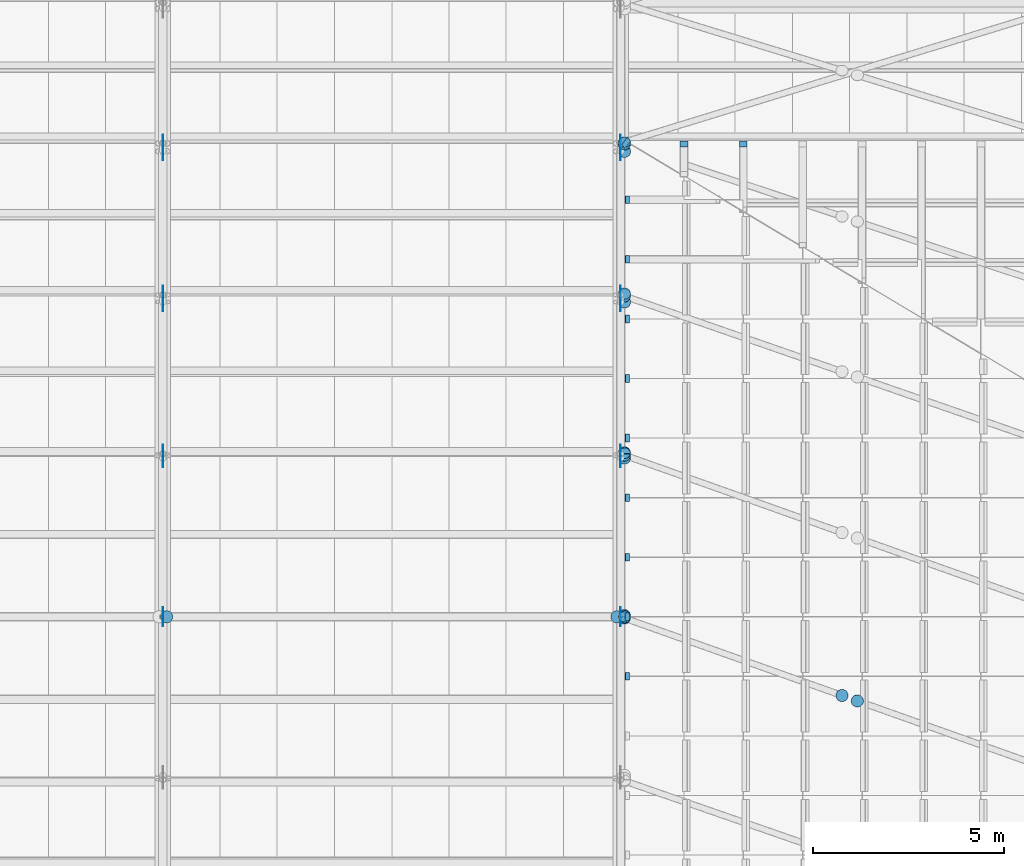
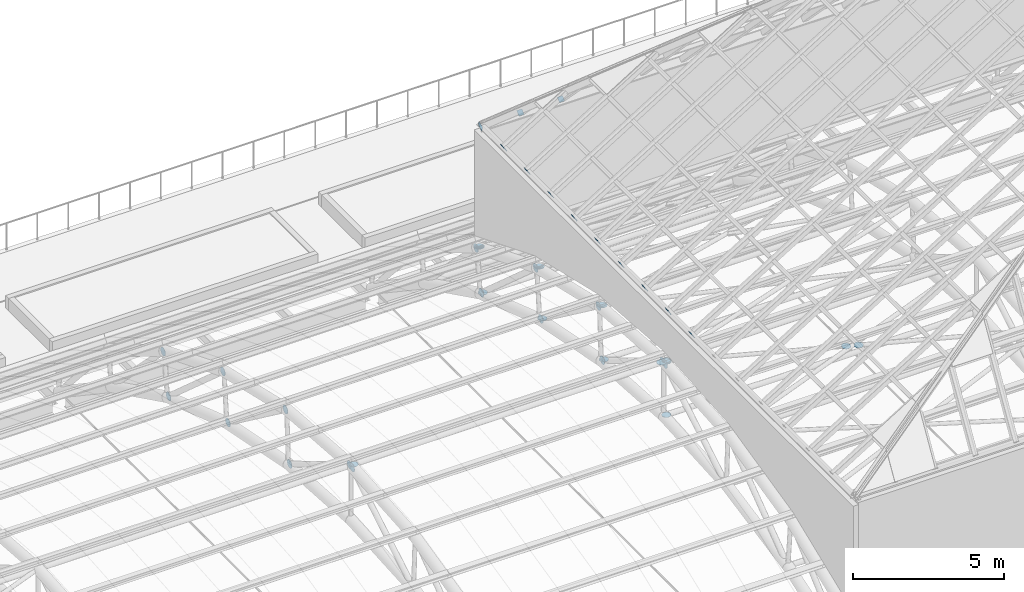
# One storey, part 92 of 110: 48 discrete accessories.
"""IFC4 building model written with IfcOpenShell, lengths in metres."""

from ifc_helpers import new_model, si_unit, direction, frame, origin, origin_2d, place, context, subcontext, project, spatial, rectangle, circle, extrude, material, layer, layer_set, type_object, element, save


model = new_model("IFC4")

# Units and contexts
model_context = context("Model", 3, precision=1e-05, world=origin(), true_north=direction((0.0, 1.0)))
body_context = subcontext(model_context, "Body", "Model", "MODEL_VIEW")
ifc_project = project(units=[si_unit("LENGTHUNIT", "METRE"), si_unit("AREAUNIT", "SQUARE_METRE"), si_unit("VOLUMEUNIT", "CUBIC_METRE"), si_unit("PLANEANGLEUNIT", "RADIAN"), si_unit("MASSUNIT", "GRAM", prefix="KILO")], contexts=[model_context])

# Site, building, storey
site_placement = place(None, origin())
site = spatial("IfcSite", under=ifc_project, at=site_placement, CompositionType="ELEMENT")
building_placement = place(site_placement, origin())
building = spatial("IfcBuilding", under=site, at=building_placement, Name="Windward Yard Aquatics Centre", CompositionType="ELEMENT")
storey_placement = place(building_placement, frame((0.0, 0.0, 22.60009765625)))
storey = spatial("IfcBuildingStorey", under=building, at=storey_placement, Name="L05", CompositionType="ELEMENT", Elevation=22.60009765625)

# Discrete accessories
ifc_material = material(Name="Steel S355", Category="steel")
ifc_layer_1 = layer(ifc_material, 0.010009765625)
ifc_layer_set_1 = layer_set([ifc_layer_1], Name="End cap plate 10 mm RHS203.2x203.2x9.5")
discrete_accessory_type_1 = type_object("IfcDiscreteAccessoryType", Name="End cap plate 10 mm RHS203.2x203.2x9.5", PredefinedType="USERDEFINED", material=ifc_layer_set_1)
for number, where, z_axis, x_axis, name in (
    (1, (96.163818359375, 67.24462890625, 10.77197265625), (0.857492925713, 0.0, 0.514495755428), (0.0, 1.0, 0.0), "End cap"),
    (2, (96.163818359375, 62.561279296875, 10.77197265625), (0.857492925713, 0.0, 0.514495755428), (0.0, 1.0, 0.0), "End cap"),
    (3, (96.163818359375, 64.122314453125, 10.77197265625), (0.857492925713, 0.0, 0.514495755428), (0.0, 1.0, 0.0), "End cap"),
    (4, (96.163818359375, 59.438720703125, 10.77197265625), (0.857492925713, 0.0, 0.514495755428), (0.0, 1.0, 0.0), "End cap"),
    (5, (97.656494140625, 73.3974609375, 10.791259765625), (0.0, -0.68231825036, 0.731055268243), (1.0, 0.0, 0.0), "End cap"),
    (6, (96.163818359375, 65.68359375, 10.77197265625), (0.857492925713, 0.0, 0.514495755428), (0.0, 1.0, 0.0), "End cap"),
    (7, (96.163818359375, 71.92822265625, 10.77197265625), (0.857492925713, 0.0, 0.514495755428), (0.0, 1.0, 0.0), "End cap"),
    (8, (96.163818359375, 61.0, 10.77197265625), (0.857492925713, 0.0, 0.514495755428), (0.0, 1.0, 0.0), "End cap"),
    (9, (96.163818359375, 68.805908203125, 10.77197265625), (0.857492925713, 0.0, 0.514495755428), (0.0, 1.0, 0.0), "End cap"),
    (10, (99.212890625, 73.3974609375, 10.791259765625), (0.0, -0.68231825036, 0.731055268243), (1.0, 0.0, 0.0), "End cap"),
    (11, (96.163818359375, 70.3671875, 10.77197265625), (0.857492925713, 0.0, 0.514495755428), (0.0, 1.0, 0.0), "End cap"),
):
    element("IfcDiscreteAccessory", number, at=place(storey_placement, frame(where, z_axis=z_axis, x_axis=x_axis)), inside=storey, type_object=discrete_accessory_type_1, Name=name, ObjectType="END CAP", PredefinedType="USERDEFINED", context=body_context, shape_type="SweptSolid", body=[
        extrude(rectangle(XDim=0.203125, YDim=0.203125, at=origin_2d()), origin(), (0.0, 0.0, 1.0), 0.010009765625),
    ])
ifc_layer_2 = layer(ifc_material, 0.010009765625)
ifc_layer_set_2 = layer_set([ifc_layer_2], Name="End cap plate 10 mm RHS254x254x15.9")
discrete_accessory_type_2 = type_object("IfcDiscreteAccessoryType", Name="End cap plate 10 mm RHS254x254x15.9", PredefinedType="USERDEFINED", material=ifc_layer_set_2)
discrete_accessory_1_placement = place(storey_placement, frame((96.139404296875, 73.429931640625, 10.751708984375), z_axis=(0.755648171598, -0.463139201947, 0.463139201947), x_axis=(0.589358238601, 0.789284140614, -0.172300353945)))
element("IfcDiscreteAccessory", 12, at=discrete_accessory_1_placement, inside=storey, type_object=discrete_accessory_type_2, Name="End cap", ObjectType="END CAP", PredefinedType="USERDEFINED", context=body_context, shape_type="SweptSolid", body=[
    extrude(rectangle(XDim=0.25390625, YDim=0.25390625, at=origin_2d()), origin(), (0.0, 0.0, 1.0), 0.010009765625),
])
ifc_layer_3 = layer(ifc_material, 0.011962890625)
ifc_layer_set_3 = layer_set([ifc_layer_3], Name="Gusset plate 320 mm disc 12 mm")
discrete_accessory_type_3 = type_object("IfcDiscreteAccessoryType", Name="Gusset plate 320 mm disc 12 mm", PredefinedType="USERDEFINED", material=ifc_layer_set_3)
for number, where, z_axis, x_axis, name in (
    (13, (83.993896484375, 60.9140625, 8.74560546875), (1.0, 0.0, 0.0), (0.0, 1.0, 0.0), "Gusset plate"),
    (14, (83.993896484375, 61.0859375, 8.74560546875), (1.0, 0.0, 0.0), (0.0, 1.0, 0.0), "Gusset plate"),
    (15, (83.993896484375, 65.07470703125, 6.374755859375), (1.0, 0.0, 0.0), (0.0, 1.0, 0.0), "Gusset plate"),
    (16, (83.993896484375, 65.3486328125, 8.41015625), (1.0, 0.0, 0.0), (0.0, 1.0, 0.0), "Gusset plate"),
    (17, (83.993896484375, 69.16943359375, 5.568603515625), (1.0, 0.0, 0.0), (0.0, 1.0, 0.0), "Gusset plate"),
    (18, (83.993896484375, 69.51220703125, 7.4306640625), (1.0, 0.0, 0.0), (0.0, 1.0, 0.0), "Gusset plate"),
    (19, (83.993896484375, 73.122314453125, 4.23291015625), (1.0, 0.0, 0.0), (0.0, 1.0, 0.0), "Gusset plate"),
    (20, (83.993896484375, 73.479736328125, 5.8291015625), (1.0, 0.0, 0.0), (0.0, 1.0, 0.0), "Gusset plate"),
    (21, (95.993896484375, 60.9140625, 8.74560546875), (1.0, 0.0, 0.0), (0.0, 1.0, 0.0), "Gusset plate"),
    (22, (95.993896484375, 61.0859375, 8.74560546875), (1.0, 0.0, 0.0), (0.0, 1.0, 0.0), "Gusset plate"),
    (23, (95.993896484375, 65.07470703125, 6.374755859375), (1.0, 0.0, 0.0), (0.0, 1.0, 0.0), "Gusset plate"),
    (24, (95.993896484375, 65.3486328125, 8.41015625), (1.0, 0.0, 0.0), (0.0, 1.0, 0.0), "Gusset plate"),
    (25, (95.993896484375, 69.16943359375, 5.568603515625), (1.0, 0.0, 0.0), (0.0, 1.0, 0.0), "Gusset plate"),
    (26, (95.993896484375, 69.51220703125, 7.4306640625), (1.0, 0.0, 0.0), (0.0, 1.0, 0.0), "Gusset plate"),
    (27, (95.993896484375, 73.122314453125, 4.23291015625), (1.0, 0.0, 0.0), (0.0, 1.0, 0.0), "Gusset plate"),
    (28, (95.993896484375, 73.479736328125, 5.8291015625), (1.0, 0.0, 0.0), (0.0, 1.0, 0.0), "Gusset plate"),
):
    element("IfcDiscreteAccessory", number, at=place(storey_placement, frame(where, z_axis=z_axis, x_axis=x_axis)), inside=storey, type_object=discrete_accessory_type_3, Name=name, ObjectType="GUSSET PLATE", PredefinedType="USERDEFINED", context=body_context, shape_type="SweptSolid", body=[
        extrude(circle(Radius=0.159912109375, at=origin_2d()), origin(), (0.0, 0.0, 1.0), 0.01220703125),
    ])
for number, where, z_axis, x_axis, name in (
    (29, (84.10009765625, 61.0, 8.790771484375), (0.0, 0.0, 1.0), (1.0, 0.0, 0.0), "Gusset plate"),
    (30, (95.89990234375, 61.0, 8.790771484375), (0.0, 0.0, 1.0), (1.0, 0.0, 0.0), "Gusset plate"),
    (31, (96.10009765625, 61.0, 8.790771484375), (0.0, 0.0, 1.0), (1.0, 0.0, 0.0), "Gusset plate"),
    (32, (96.10009765625, 65.2685546875, 8.4638671875), (0.0, 0.0, 1.0), (1.0, 0.0, 0.0), "Gusset plate"),
):
    element("IfcDiscreteAccessory", number, at=place(storey_placement, frame(where, z_axis=z_axis, x_axis=x_axis)), inside=storey, type_object=discrete_accessory_type_3, Name=name, ObjectType="GUSSET PLATE", PredefinedType="USERDEFINED", context=body_context, shape_type="SweptSolid", body=[
        extrude(circle(Radius=0.159912109375, at=origin_2d()), origin(), (0.0, 0.0, 1.0), 0.011962890625),
    ])
discrete_accessory_2_placement = place(storey_placement, frame((96.10009765625, 69.4375, 7.49072265625), z_axis=(0.0, 0.0, 1.0), x_axis=(1.0, 0.0, 0.0)))
element("IfcDiscreteAccessory", 33, at=discrete_accessory_2_placement, inside=storey, type_object=discrete_accessory_type_3, Name="Gusset plate", ObjectType="GUSSET PLATE", PredefinedType="USERDEFINED", context=body_context, shape_type="SweptSolid", body=[
    extrude(circle(Radius=0.159912109375, at=origin_2d()), origin(), (0.0, 0.0, 1.0), 0.01220703125),
])
for number, where, z_axis, x_axis, name in (
    (34, (96.10009765625, 73.40966796875, 5.89453125), (0.0, 0.0, 1.0), (1.0, 0.0, 0.0), "Gusset plate"),
    (35, (96.09423828125, 60.966064453125, 8.800048828125), (0.0, 0.081362009455, -0.996684615823), (-1.0, 0.0, 0.0), "Gusset plate"),
    (36, (101.79931640625, 58.9365234375, 8.644775390625), (0.0, 0.081362009455, -0.996684615823), (-1.0, 0.0, 0.0), "Gusset plate"),
    (37, (102.20068359375, 58.7939453125, 8.6337890625), (0.0, 0.081362009455, -0.996684615823), (-1.0, 0.0, 0.0), "Gusset plate"),
    (38, (96.09423828125, 61.033935546875, 8.800048828125), (0.0, -0.081362009455, -0.996684615823), (1.0, 0.0, 0.0), "Gusset plate"),
    (39, (96.09423828125, 65.2353515625, 8.478271484375), (0.0, -0.06111006328, -0.998131033565), (1.0, 0.0, 0.0), "Gusset plate"),
    (40, (96.09423828125, 65.302490234375, 8.468017578125), (0.0, -0.223376156329, -0.974732318528), (1.0, 0.0, 0.0), "Gusset plate"),
    (41, (96.09423828125, 69.406005859375, 7.51025390625), (0.0, -0.223376156329, -0.974732318528), (1.0, 0.0, 0.0), "Gusset plate"),
):
    element("IfcDiscreteAccessory", number, at=place(storey_placement, frame(where, z_axis=z_axis, x_axis=x_axis)), inside=storey, type_object=discrete_accessory_type_3, Name=name, ObjectType="GUSSET PLATE", PredefinedType="USERDEFINED", context=body_context, shape_type="SweptSolid", body=[
        extrude(circle(Radius=0.159912109375, at=origin_2d()), origin(), (0.0, 0.0, 1.0), 0.011962890625),
    ])
discrete_accessory_3_placement = place(storey_placement, frame((96.09423828125, 69.470947265625, 7.489990234375), z_axis=(0.0, -0.38176015442, -0.92426142649), x_axis=(1.0, 0.0, 0.0)))
element("IfcDiscreteAccessory", 42, at=discrete_accessory_3_placement, inside=storey, type_object=discrete_accessory_type_3, Name="Gusset plate", ObjectType="GUSSET PLATE", PredefinedType="USERDEFINED", context=body_context, shape_type="SweptSolid", body=[
    extrude(circle(Radius=0.159912109375, at=origin_2d()), origin(), (0.0, 0.0, 1.0), 0.01220703125),
])
discrete_accessory_4_placement = place(storey_placement, frame((96.09423828125, 73.380615234375, 5.91845703125), z_axis=(0.0, -0.371390676354, -0.928476690885), x_axis=(1.0, 0.0, 0.0)))
element("IfcDiscreteAccessory", 43, at=discrete_accessory_4_placement, inside=storey, type_object=discrete_accessory_type_3, Name="Gusset plate", ObjectType="GUSSET PLATE", PredefinedType="USERDEFINED", context=body_context, shape_type="SweptSolid", body=[
    extrude(circle(Radius=0.159912109375, at=origin_2d()), origin(), (0.0, 0.0, 1.0), 0.01171875),
])
for number, where, z_axis, x_axis, name in (
    (44, (96.09423828125, 73.441650390625, 5.888427734375), (0.0, -0.511483859768, -0.85929288441), (1.0, 0.0, 0.0), "Gusset plate"),
    (45, (96.10009765625, 61.0, 6.5908203125), (0.0, 0.0, 1.0), (1.0, 0.0, 0.0), "Gusset plate"),
    (46, (96.10009765625, 65.16064453125, 6.317626953125), (0.0, 0.0, 1.0), (1.0, 0.0, 0.0), "Gusset plate"),
    (47, (96.10009765625, 69.249755859375, 5.5029296875), (0.0, 0.0, 1.0), (1.0, 0.0, 0.0), "Gusset plate"),
):
    element("IfcDiscreteAccessory", number, at=place(storey_placement, frame(where, z_axis=z_axis, x_axis=x_axis)), inside=storey, type_object=discrete_accessory_type_3, Name=name, ObjectType="GUSSET PLATE", PredefinedType="USERDEFINED", context=body_context, shape_type="SweptSolid", body=[
        extrude(circle(Radius=0.159912109375, at=origin_2d()), origin(), (0.0, 0.0, 1.0), 0.011962890625),
    ])
discrete_accessory_5_placement = place(storey_placement, frame((96.10009765625, 73.197265625, 4.160400390625), z_axis=(0.0, 0.0, 1.0), x_axis=(1.0, 0.0, 0.0)))
element("IfcDiscreteAccessory", 48, at=discrete_accessory_5_placement, inside=storey, type_object=discrete_accessory_type_3, Name="Gusset plate", ObjectType="GUSSET PLATE", PredefinedType="USERDEFINED", context=body_context, shape_type="SweptSolid", body=[
    extrude(circle(Radius=0.159912109375, at=origin_2d()), origin(), (0.0, 0.0, 1.0), 0.01220703125),
])

save(model, "model.ifc")
